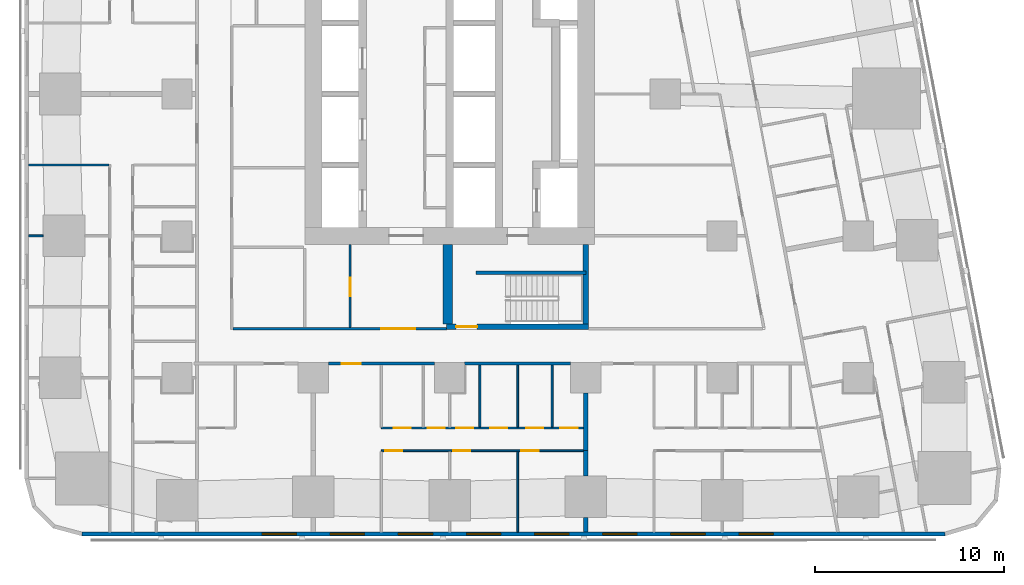
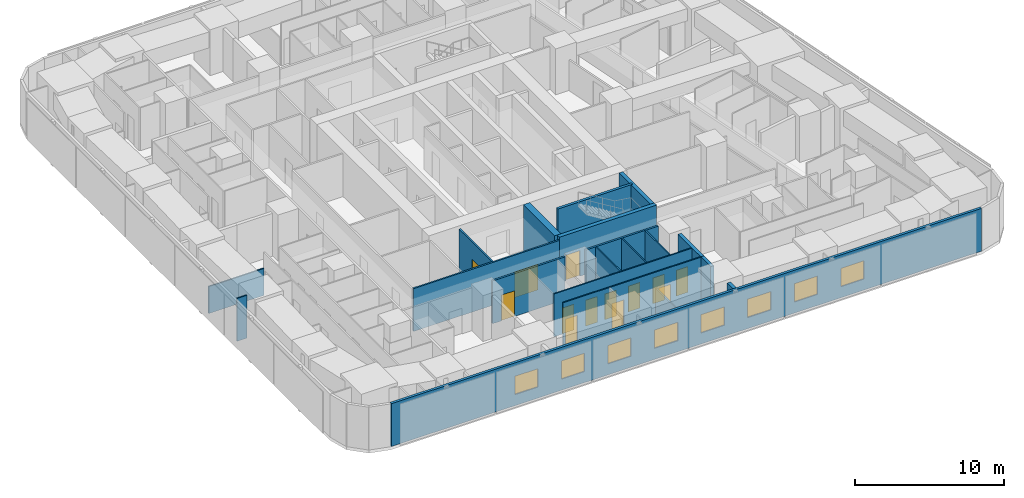
# One storey, part 3 of 15: 20 walls, 13 doors, 8 windows, 21 openings.
"""IFC4 building model written with IfcOpenShell, lengths in metres."""

from ifc_helpers import new_model, si_unit, direction, frame, frame_2d, origin, place, context, subcontext, project, spatial, rectangle, extrude, material, layer, layer_set, type_object, element, fill, save


model = new_model("IFC4")

# Units and contexts
model_context = context("Model", 3, precision=1e-05, world=origin(), true_north=direction((0.0, 1.0)))
body_context = subcontext(model_context, "Body", "Model", "MODEL_VIEW")
ifc_project = project(units=[si_unit("LENGTHUNIT", "METRE"), si_unit("AREAUNIT", "SQUARE_METRE"), si_unit("VOLUMEUNIT", "CUBIC_METRE"), si_unit("PLANEANGLEUNIT", "RADIAN"), si_unit("MASSUNIT", "GRAM", prefix="KILO")], contexts=[model_context])

# Site, building, storey
site_placement = place(None, origin())
site = spatial("IfcSite", under=ifc_project, at=site_placement, CompositionType="ELEMENT")
building_placement = place(site_placement, origin())
building = spatial("IfcBuilding", under=site, at=building_placement, Name="Sheger Commons Tower", CompositionType="ELEMENT")
storey_placement = place(building_placement, frame((0.0, 0.0, 85.39990234375)))
storey = spatial("IfcBuildingStorey", under=building, at=storey_placement, Name="L21", CompositionType="ELEMENT", Elevation=85.39990234375)

# Wall
ifc_material_1 = material(Name="Hollow concrete block masonry, skimmed both sides", Category="masonry")
ifc_layer_1 = layer(ifc_material_1, 0.14990234375)
ifc_layer_set_1 = layer_set([ifc_layer_1], Name="CORRIDOR WALL 150")
wall_type_1 = type_object("IfcWallType", Name="CORRIDOR WALL 150", PredefinedType="SOLIDWALL", material=ifc_layer_set_1)
wall_1_placement = place(storey_placement, frame((27.9990234375, 8.25, 0.0), z_axis=(0.0, 0.0, 1.0), x_axis=(-1.0, 0.0, 0.0)))
element("IfcWall", 1, at=wall_1_placement, inside=storey, type_object=wall_type_1, Name="Corridor wall L21", PredefinedType="SOLIDWALL", context=body_context, shape_type="SweptSolid", body=[
    extrude(rectangle(XDim=5.59814453125, YDim=0.14990234375, at=frame_2d((2.799072265625, 0.0))), origin(), (0.0, 0.0, 1.0), 3.5),
])

# Wall, opening, door
wall_2_placement = place(storey_placement, frame((20.799072265625, 8.25, 0.0), z_axis=(0.0, 0.0, 1.0), x_axis=(-1.0, 0.0, 0.0)))
wall_2 = element("IfcWall", 2, at=wall_2_placement, inside=storey, type_object=wall_type_1, Name="Corridor wall L21", PredefinedType="SOLIDWALL", context=body_context, shape_type="SweptSolid", body=[
    extrude(rectangle(XDim=5.59814453125, YDim=0.14990234375, at=frame_2d((2.799072265625, 0.0))), origin(), (0.0, 0.0, 1.0), 3.5),
])
opening_1_placement = place(wall_2_placement, frame((3.89892578125, 0.0, 0.0)))
opening_1 = element("IfcOpeningElement", 3, at=opening_1_placement, cuts=wall_2, Name="Opening D1", PredefinedType="OPENING", context=body_context, shape_type="SweptSolid", body=[
    extrude(rectangle(XDim=1.0, YDim=2.10009765625, at=frame_2d((0.5, 1.050048828125))), frame((0.0, 0.0849609375, 0.0), z_axis=(0.0, -1.0, 0.0), x_axis=(1.0, 0.0, 0.0)), (0.0, 0.0, 1.0), 0.169921875),
])
ifc_material_2 = material(Name="Steel door set, fire rated", Category="steel")
door_type_1 = type_object("IfcDoorType", Name="FLAT ENTRANCE DOOR 1000x2100", OperationType="NOTDEFINED", PredefinedType="DOOR", material=ifc_material_2)
door_1_placement = place(opening_1_placement, origin())
door_1 = element("IfcDoor", 4, at=door_1_placement, inside=storey, type_object=door_type_1, Name="Flat entrance door", OperationType="SINGLE_SWING_RIGHT", OverallHeight=2.10009765625, OverallWidth=1.0, PredefinedType="DOOR", context=body_context, shape_type="SweptSolid", body=[
    extrude(rectangle(XDim=1.0, YDim=2.10009765625, at=frame_2d((0.5, 1.050048828125))), frame((0.0, 0.02490234375, 0.0), z_axis=(0.0, -1.0, 0.0), x_axis=(1.0, 0.0, 0.0)), (0.0, 0.0, 1.0), 0.050048828125),
])
fill(opening_1, door_1)

# Walls
ifc_material_3 = material(Name="Dense concrete block masonry, plastered both sides (separating wall between flats)", Category="masonry")
ifc_layer_2 = layer(ifc_material_3, 0.25)
ifc_layer_set_2 = layer_set([ifc_layer_2], Name="DEMISING WALL 250")
wall_type_2 = type_object("IfcWallType", Name="DEMISING WALL 250", PredefinedType="SOLIDWALL", material=ifc_layer_set_2)
wall_3_placement = place(storey_placement, frame((28.800048828125, -0.64990234375, 0.0), z_axis=(0.0, 0.0, 1.0), x_axis=(0.0, 1.0, 0.0)))
element("IfcWall", 5, at=wall_3_placement, inside=storey, type_object=wall_type_2, Name="Demising wall L21", PredefinedType="SOLIDWALL", context=body_context, shape_type="SweptSolid", body=[
    extrude(rectangle(XDim=0.77392578125, YDim=0.25, at=frame_2d((0.386962890625, 0.0))), origin(), (0.0, 0.0, 1.0), 3.5),
])
wall_4_placement = place(storey_placement, frame((28.800048828125, 2.325927734375, 0.0), z_axis=(0.0, 0.0, 1.0), x_axis=(0.0, 1.0, 0.0)))
element("IfcWall", 6, at=wall_4_placement, inside=storey, type_object=wall_type_2, Name="Demising wall L21", PredefinedType="SOLIDWALL", context=body_context, shape_type="SweptSolid", body=[
    extrude(rectangle(XDim=1.323974609375, YDim=0.25, at=frame_2d((0.662109375, 0.0))), origin(), (0.0, 0.0, 1.0), 3.5),
])
wall_5_placement = place(storey_placement, frame((28.800048828125, 3.64990234375, 0.0), z_axis=(0.0, 0.0, 1.0), x_axis=(0.0, 1.0, 0.0)))
element("IfcWall", 7, at=wall_5_placement, inside=storey, type_object=wall_type_2, Name="Demising wall L21", PredefinedType="SOLIDWALL", context=body_context, shape_type="SweptSolid", body=[
    extrude(rectangle(XDim=3.049072265625, YDim=0.25, at=frame_2d((1.5244140625, 0.0))), origin(), (0.0, 0.0, 1.0), 3.5),
])

# Wall, openings, windows
ifc_material_4 = material(Name="Rendered concrete block masonry, dark grey", Category="masonry")
ifc_layer_3 = layer(ifc_material_4, 0.199951171875)
ifc_layer_set_3 = layer_set([ifc_layer_3], Name="FACADE WALL 200")
wall_type_3 = type_object("IfcWallType", Name="FACADE WALL 200", PredefinedType="SOLIDWALL", material=ifc_layer_set_3)
wall_6_placement = place(storey_placement, frame((2.1630859375, -0.75, 0.0), z_axis=(0.0, 0.0, 1.0), x_axis=(1.0, 0.0, 0.0)))
wall_6 = element("IfcWall", 8, at=wall_6_placement, inside=storey, type_object=wall_type_3, Name="Facade wall L21", PredefinedType="SOLIDWALL", context=body_context, shape_type="SweptSolid", body=[
    extrude(rectangle(XDim=45.6279296875, YDim=0.199951171875, at=frame_2d((22.81396484375, 0.0))), origin(), (0.0, 0.0, 1.0), 3.5),
])
opening_2_placement = place(wall_6_placement, frame((9.537109375, 0.0, 0.89990234375)))
opening_2 = element("IfcOpeningElement", 9, at=opening_2_placement, cuts=wall_6, Name="Opening W2", PredefinedType="OPENING", context=body_context, shape_type="SweptSolid", body=[
    extrude(rectangle(XDim=1.800048828125, YDim=1.5, at=frame_2d((0.89990234375, 0.75))), frame((0.0, 0.10986328125, 0.0), z_axis=(0.0, -1.0, 0.0), x_axis=(1.0, 0.0, 0.0)), (0.0, 0.0, 1.0), 0.219970703125),
])
opening_3_placement = place(wall_6_placement, frame((13.136962890625, 0.0, 0.89990234375)))
opening_3 = element("IfcOpeningElement", 10, at=opening_3_placement, cuts=wall_6, Name="Opening W2", PredefinedType="OPENING", context=body_context, shape_type="SweptSolid", body=[
    extrude(rectangle(XDim=1.800048828125, YDim=1.5, at=frame_2d((0.89990234375, 0.75))), frame((0.0, 0.10986328125, 0.0), z_axis=(0.0, -1.0, 0.0), x_axis=(1.0, 0.0, 0.0)), (0.0, 0.0, 1.0), 0.219970703125),
])
opening_4_placement = place(wall_6_placement, frame((16.737060546875, 0.0, 0.89990234375)))
opening_4 = element("IfcOpeningElement", 11, at=opening_4_placement, cuts=wall_6, Name="Opening W2", PredefinedType="OPENING", context=body_context, shape_type="SweptSolid", body=[
    extrude(rectangle(XDim=1.800048828125, YDim=1.5, at=frame_2d((0.89990234375, 0.75))), frame((0.0, 0.10986328125, 0.0), z_axis=(0.0, -1.0, 0.0), x_axis=(1.0, 0.0, 0.0)), (0.0, 0.0, 1.0), 0.219970703125),
])
opening_5_placement = place(wall_6_placement, frame((20.3369140625, 0.0, 0.89990234375)))
opening_5 = element("IfcOpeningElement", 12, at=opening_5_placement, cuts=wall_6, Name="Opening W2", PredefinedType="OPENING", context=body_context, shape_type="SweptSolid", body=[
    extrude(rectangle(XDim=1.800048828125, YDim=1.5, at=frame_2d((0.89990234375, 0.75))), frame((0.0, 0.10986328125, 0.0), z_axis=(0.0, -1.0, 0.0), x_axis=(1.0, 0.0, 0.0)), (0.0, 0.0, 1.0), 0.219970703125),
])
opening_6_placement = place(wall_6_placement, frame((23.93701171875, 0.0, 0.89990234375)))
opening_6 = element("IfcOpeningElement", 13, at=opening_6_placement, cuts=wall_6, Name="Opening W2", PredefinedType="OPENING", context=body_context, shape_type="SweptSolid", body=[
    extrude(rectangle(XDim=1.800048828125, YDim=1.5, at=frame_2d((0.89990234375, 0.75))), frame((0.0, 0.10986328125, 0.0), z_axis=(0.0, -1.0, 0.0), x_axis=(1.0, 0.0, 0.0)), (0.0, 0.0, 1.0), 0.219970703125),
])
opening_7_placement = place(wall_6_placement, frame((27.537109375, 0.0, 0.89990234375)))
opening_7 = element("IfcOpeningElement", 14, at=opening_7_placement, cuts=wall_6, Name="Opening W2", PredefinedType="OPENING", context=body_context, shape_type="SweptSolid", body=[
    extrude(rectangle(XDim=1.800048828125, YDim=1.5, at=frame_2d((0.89990234375, 0.75))), frame((0.0, 0.10986328125, 0.0), z_axis=(0.0, -1.0, 0.0), x_axis=(1.0, 0.0, 0.0)), (0.0, 0.0, 1.0), 0.219970703125),
])
opening_8_placement = place(wall_6_placement, frame((31.136962890625, 0.0, 0.89990234375)))
opening_8 = element("IfcOpeningElement", 15, at=opening_8_placement, cuts=wall_6, Name="Opening W2", PredefinedType="OPENING", context=body_context, shape_type="SweptSolid", body=[
    extrude(rectangle(XDim=1.800048828125, YDim=1.5, at=frame_2d((0.89990234375, 0.75))), frame((0.0, 0.10986328125, 0.0), z_axis=(0.0, -1.0, 0.0), x_axis=(1.0, 0.0, 0.0)), (0.0, 0.0, 1.0), 0.219970703125),
])
opening_9_placement = place(wall_6_placement, frame((34.737060546875, 0.0, 0.89990234375)))
opening_9 = element("IfcOpeningElement", 16, at=opening_9_placement, cuts=wall_6, Name="Opening W2", PredefinedType="OPENING", context=body_context, shape_type="SweptSolid", body=[
    extrude(rectangle(XDim=1.800048828125, YDim=1.5, at=frame_2d((0.89990234375, 0.75))), frame((0.0, 0.10986328125, 0.0), z_axis=(0.0, -1.0, 0.0), x_axis=(1.0, 0.0, 0.0)), (0.0, 0.0, 1.0), 0.219970703125),
])
ifc_material_5 = material(Name="Black aluminium frame, dark tinted double glazing", Category="aluminium")
window_type = type_object("IfcWindowType", Name="WINDOW W2 1800x1500", PartitioningType="SINGLE_PANEL", PredefinedType="WINDOW", material=ifc_material_5)
window_1_placement = place(opening_2_placement, origin())
window_1 = element("IfcWindow", 17, at=window_1_placement, inside=storey, type_object=window_type, Name="Window W2 1800X1500", OverallHeight=1.5, OverallWidth=1.800048828125, PartitioningType="SINGLE_PANEL", PredefinedType="WINDOW", context=body_context, shape_type="SweptSolid", body=[
    extrude(rectangle(XDim=1.800048828125, YDim=1.5, at=frame_2d((0.89990234375, 0.75))), frame((0.0, 0.030029296875, 0.0), z_axis=(0.0, -1.0, 0.0), x_axis=(1.0, 0.0, 0.0)), (0.0, 0.0, 1.0), 0.06005859375),
])
fill(opening_2, window_1)
window_2_placement = place(opening_3_placement, origin())
window_2 = element("IfcWindow", 18, at=window_2_placement, inside=storey, type_object=window_type, Name="Window W2 1800X1500", OverallHeight=1.5, OverallWidth=1.800048828125, PartitioningType="SINGLE_PANEL", PredefinedType="WINDOW", context=body_context, shape_type="SweptSolid", body=[
    extrude(rectangle(XDim=1.800048828125, YDim=1.5, at=frame_2d((0.89990234375, 0.75))), frame((0.0, 0.030029296875, 0.0), z_axis=(0.0, -1.0, 0.0), x_axis=(1.0, 0.0, 0.0)), (0.0, 0.0, 1.0), 0.06005859375),
])
fill(opening_3, window_2)
window_3_placement = place(opening_4_placement, origin())
window_3 = element("IfcWindow", 19, at=window_3_placement, inside=storey, type_object=window_type, Name="Window W2 1800X1500", OverallHeight=1.5, OverallWidth=1.800048828125, PartitioningType="SINGLE_PANEL", PredefinedType="WINDOW", context=body_context, shape_type="SweptSolid", body=[
    extrude(rectangle(XDim=1.800048828125, YDim=1.5, at=frame_2d((0.89990234375, 0.75))), frame((0.0, 0.030029296875, 0.0), z_axis=(0.0, -1.0, 0.0), x_axis=(1.0, 0.0, 0.0)), (0.0, 0.0, 1.0), 0.06005859375),
])
fill(opening_4, window_3)
window_4_placement = place(opening_5_placement, origin())
window_4 = element("IfcWindow", 20, at=window_4_placement, inside=storey, type_object=window_type, Name="Window W2 1800X1500", OverallHeight=1.5, OverallWidth=1.800048828125, PartitioningType="SINGLE_PANEL", PredefinedType="WINDOW", context=body_context, shape_type="SweptSolid", body=[
    extrude(rectangle(XDim=1.800048828125, YDim=1.5, at=frame_2d((0.89990234375, 0.75))), frame((0.0, 0.030029296875, 0.0), z_axis=(0.0, -1.0, 0.0), x_axis=(1.0, 0.0, 0.0)), (0.0, 0.0, 1.0), 0.06005859375),
])
fill(opening_5, window_4)
window_5_placement = place(opening_6_placement, origin())
window_5 = element("IfcWindow", 21, at=window_5_placement, inside=storey, type_object=window_type, Name="Window W2 1800X1500", OverallHeight=1.5, OverallWidth=1.800048828125, PartitioningType="SINGLE_PANEL", PredefinedType="WINDOW", context=body_context, shape_type="SweptSolid", body=[
    extrude(rectangle(XDim=1.800048828125, YDim=1.5, at=frame_2d((0.89990234375, 0.75))), frame((0.0, 0.030029296875, 0.0), z_axis=(0.0, -1.0, 0.0), x_axis=(1.0, 0.0, 0.0)), (0.0, 0.0, 1.0), 0.06005859375),
])
fill(opening_6, window_5)
window_6_placement = place(opening_7_placement, origin())
window_6 = element("IfcWindow", 22, at=window_6_placement, inside=storey, type_object=window_type, Name="Window W2 1800X1500", OverallHeight=1.5, OverallWidth=1.800048828125, PartitioningType="SINGLE_PANEL", PredefinedType="WINDOW", context=body_context, shape_type="SweptSolid", body=[
    extrude(rectangle(XDim=1.800048828125, YDim=1.5, at=frame_2d((0.89990234375, 0.75))), frame((0.0, 0.030029296875, 0.0), z_axis=(0.0, -1.0, 0.0), x_axis=(1.0, 0.0, 0.0)), (0.0, 0.0, 1.0), 0.06005859375),
])
fill(opening_7, window_6)
window_7_placement = place(opening_8_placement, origin())
window_7 = element("IfcWindow", 23, at=window_7_placement, inside=storey, type_object=window_type, Name="Window W2 1800X1500", OverallHeight=1.5, OverallWidth=1.800048828125, PartitioningType="SINGLE_PANEL", PredefinedType="WINDOW", context=body_context, shape_type="SweptSolid", body=[
    extrude(rectangle(XDim=1.800048828125, YDim=1.5, at=frame_2d((0.89990234375, 0.75))), frame((0.0, 0.030029296875, 0.0), z_axis=(0.0, -1.0, 0.0), x_axis=(1.0, 0.0, 0.0)), (0.0, 0.0, 1.0), 0.06005859375),
])
fill(opening_8, window_7)
window_8_placement = place(opening_9_placement, origin())
window_8 = element("IfcWindow", 24, at=window_8_placement, inside=storey, type_object=window_type, Name="Window W2 1800X1500", OverallHeight=1.5, OverallWidth=1.800048828125, PartitioningType="SINGLE_PANEL", PredefinedType="WINDOW", context=body_context, shape_type="SweptSolid", body=[
    extrude(rectangle(XDim=1.800048828125, YDim=1.5, at=frame_2d((0.89990234375, 0.75))), frame((0.0, 0.030029296875, 0.0), z_axis=(0.0, -1.0, 0.0), x_axis=(1.0, 0.0, 0.0)), (0.0, 0.0, 1.0), 0.06005859375),
])
fill(opening_9, window_8)

# Walls
ifc_material_6 = material(Name="Gypsum board on steel studs", Category="steel")
ifc_layer_4 = layer(ifc_material_6, 0.10009765625)
ifc_layer_set_4 = layer_set([ifc_layer_4], Name="PARTITION 100")
wall_type_4 = type_object("IfcWallType", Name="PARTITION 100", PredefinedType="PARTITIONING", material=ifc_layer_set_4)
wall_7_placement = place(storey_placement, frame((-0.64990234375, 15.0, 0.0), z_axis=(0.0, 0.0, 1.0), x_axis=(1.0, 0.0, 0.0)))
element("IfcWall", 25, at=wall_7_placement, inside=storey, type_object=wall_type_4, Name="Partition L21", PredefinedType="PARTITIONING", context=body_context, shape_type="SweptSolid", body=[
    extrude(rectangle(XDim=0.77392578125, YDim=0.10009765625, at=frame_2d((0.386962890625, 0.0))), origin(), (0.0, 0.0, 1.0), 3.5),
])
wall_8_placement = place(storey_placement, frame((-0.64990234375, 18.75, 0.0), z_axis=(0.0, 0.0, 1.0), x_axis=(1.0, 0.0, 0.0)))
element("IfcWall", 26, at=wall_8_placement, inside=storey, type_object=wall_type_4, Name="Partition L21", PredefinedType="PARTITIONING", context=body_context, shape_type="SweptSolid", body=[
    extrude(rectangle(XDim=4.25, YDim=0.10009765625, at=frame_2d((2.125, 0.0))), origin(), (0.0, 0.0, 1.0), 2.2001953125),
])

# Wall, openings, doors
wall_9_placement = place(storey_placement, frame((28.675048828125, 3.64990234375, 0.0), z_axis=(0.0, 0.0, 1.0), x_axis=(-1.0, 0.0, 0.0)))
wall_9 = element("IfcWall", 27, at=wall_9_placement, inside=storey, type_object=wall_type_4, Name="Partition L21", PredefinedType="PARTITIONING", context=body_context, shape_type="SweptSolid", body=[
    extrude(rectangle(XDim=10.675048828125, YDim=0.10009765625, at=frame_2d((5.33740234375, 0.0))), origin(), (0.0, 0.0, 1.0), 3.5),
])
opening_10_placement = place(wall_9_placement, frame((9.574951171875, 0.0, 0.0)))
opening_10 = element("IfcOpeningElement", 28, at=opening_10_placement, cuts=wall_9, Name="Opening D2", PredefinedType="OPENING", context=body_context, shape_type="SweptSolid", body=[
    extrude(rectangle(XDim=0.89990234375, YDim=2.10009765625, at=frame_2d((0.449951171875, 1.050048828125))), frame((0.0, 0.06005859375, 0.0), z_axis=(0.0, -1.0, 0.0), x_axis=(1.0, 0.0, 0.0)), (0.0, 0.0, 1.0), 0.1201171875),
])
opening_11_placement = place(wall_9_placement, frame((5.97509765625, 0.0, 0.0)))
opening_11 = element("IfcOpeningElement", 29, at=opening_11_placement, cuts=wall_9, Name="Opening D2", PredefinedType="OPENING", context=body_context, shape_type="SweptSolid", body=[
    extrude(rectangle(XDim=0.89990234375, YDim=2.10009765625, at=frame_2d((0.449951171875, 1.050048828125))), frame((0.0, 0.06005859375, 0.0), z_axis=(0.0, -1.0, 0.0), x_axis=(1.0, 0.0, 0.0)), (0.0, 0.0, 1.0), 0.1201171875),
])
opening_12_placement = place(wall_9_placement, frame((2.375, 0.0, 0.0)))
opening_12 = element("IfcOpeningElement", 30, at=opening_12_placement, cuts=wall_9, Name="Opening D2", PredefinedType="OPENING", context=body_context, shape_type="SweptSolid", body=[
    extrude(rectangle(XDim=0.89990234375, YDim=2.10009765625, at=frame_2d((0.449951171875, 1.050048828125))), frame((0.0, 0.06005859375, 0.0), z_axis=(0.0, -1.0, 0.0), x_axis=(1.0, 0.0, 0.0)), (0.0, 0.0, 1.0), 0.1201171875),
])
ifc_material_7 = material(Name="Timber door set", Category="wood")
door_type_2 = type_object("IfcDoorType", Name="INTERNAL DOOR 900x2100", OperationType="NOTDEFINED", PredefinedType="DOOR", material=ifc_material_7)
door_2_placement = place(opening_10_placement, origin())
door_2 = element("IfcDoor", 31, at=door_2_placement, inside=storey, type_object=door_type_2, Name="Main bedroom door", OperationType="SINGLE_SWING_RIGHT", OverallHeight=2.10009765625, OverallWidth=0.89990234375, PredefinedType="DOOR", context=body_context, shape_type="SweptSolid", body=[
    extrude(rectangle(XDim=0.89990234375, YDim=2.10009765625, at=frame_2d((0.449951171875, 1.050048828125))), frame((0.0, 0.02490234375, 0.0), z_axis=(0.0, -1.0, 0.0), x_axis=(1.0, 0.0, 0.0)), (0.0, 0.0, 1.0), 0.050048828125),
])
fill(opening_10, door_2)
door_3_placement = place(opening_11_placement, origin())
door_3 = element("IfcDoor", 32, at=door_3_placement, inside=storey, type_object=door_type_2, Name="Bedroom 2 door", OperationType="SINGLE_SWING_RIGHT", OverallHeight=2.10009765625, OverallWidth=0.89990234375, PredefinedType="DOOR", context=body_context, shape_type="SweptSolid", body=[
    extrude(rectangle(XDim=0.89990234375, YDim=2.10009765625, at=frame_2d((0.449951171875, 1.050048828125))), frame((0.0, 0.02490234375, 0.0), z_axis=(0.0, -1.0, 0.0), x_axis=(1.0, 0.0, 0.0)), (0.0, 0.0, 1.0), 0.050048828125),
])
fill(opening_11, door_3)
door_4_placement = place(opening_12_placement, origin())
door_4 = element("IfcDoor", 33, at=door_4_placement, inside=storey, type_object=door_type_2, Name="Bedroom 3 door", OperationType="SINGLE_SWING_RIGHT", OverallHeight=2.10009765625, OverallWidth=0.89990234375, PredefinedType="DOOR", context=body_context, shape_type="SweptSolid", body=[
    extrude(rectangle(XDim=0.89990234375, YDim=2.10009765625, at=frame_2d((0.449951171875, 1.050048828125))), frame((0.0, 0.02490234375, 0.0), z_axis=(0.0, -1.0, 0.0), x_axis=(1.0, 0.0, 0.0)), (0.0, 0.0, 1.0), 0.050048828125),
])
fill(opening_12, door_4)

wall_10_placement = place(storey_placement, frame((28.675048828125, 4.85009765625, 0.0), z_axis=(0.0, 0.0, 1.0), x_axis=(-1.0, 0.0, 0.0)))
wall_10 = element("IfcWall", 34, at=wall_10_placement, inside=storey, type_object=wall_type_4, Name="Partition L21", PredefinedType="PARTITIONING", context=body_context, shape_type="SweptSolid", body=[
    extrude(rectangle(XDim=10.675048828125, YDim=0.10009765625, at=frame_2d((5.33740234375, 0.0))), origin(), (0.0, 0.0, 1.0), 3.5),
])
opening_13_placement = place(wall_10_placement, frame((9.1201171875, 0.0, 0.0)))
opening_13 = element("IfcOpeningElement", 35, at=opening_13_placement, cuts=wall_10, Name="Opening D2", PredefinedType="OPENING", context=body_context, shape_type="SweptSolid", body=[
    extrude(rectangle(XDim=0.89990234375, YDim=2.10009765625, at=frame_2d((0.449951171875, 1.050048828125))), frame((0.0, 0.06005859375, 0.0), z_axis=(0.0, -1.0, 0.0), x_axis=(1.0, 0.0, 0.0)), (0.0, 0.0, 1.0), 0.1201171875),
])
opening_14_placement = place(wall_10_placement, frame((5.824951171875, 0.0, 0.0)))
opening_14 = element("IfcOpeningElement", 36, at=opening_14_placement, cuts=wall_10, Name="Opening D2", PredefinedType="OPENING", context=body_context, shape_type="SweptSolid", body=[
    extrude(rectangle(XDim=0.89990234375, YDim=2.10009765625, at=frame_2d((0.449951171875, 1.050048828125))), frame((0.0, 0.06005859375, 0.0), z_axis=(0.0, -1.0, 0.0), x_axis=(1.0, 0.0, 0.0)), (0.0, 0.0, 1.0), 0.1201171875),
])
opening_15_placement = place(wall_10_placement, frame((2.114990234375, 0.0, 0.0)))
opening_15 = element("IfcOpeningElement", 37, at=opening_15_placement, cuts=wall_10, Name="Opening D2", PredefinedType="OPENING", context=body_context, shape_type="SweptSolid", body=[
    extrude(rectangle(XDim=0.89990234375, YDim=2.10009765625, at=frame_2d((0.449951171875, 1.050048828125))), frame((0.0, 0.06005859375, 0.0), z_axis=(0.0, -1.0, 0.0), x_axis=(1.0, 0.0, 0.0)), (0.0, 0.0, 1.0), 0.1201171875),
])
opening_16_placement = place(wall_10_placement, frame((7.320068359375, 0.0, 0.0)))
opening_16 = element("IfcOpeningElement", 38, at=opening_16_placement, cuts=wall_10, Name="Opening D2", PredefinedType="OPENING", context=body_context, shape_type="SweptSolid", body=[
    extrude(rectangle(XDim=0.89990234375, YDim=2.10009765625, at=frame_2d((0.449951171875, 1.050048828125))), frame((0.0, 0.06005859375, 0.0), z_axis=(0.0, -1.0, 0.0), x_axis=(1.0, 0.0, 0.0)), (0.0, 0.0, 1.0), 0.1201171875),
])
opening_17_placement = place(wall_10_placement, frame((4.02490234375, 0.0, 0.0)))
opening_17 = element("IfcOpeningElement", 39, at=opening_17_placement, cuts=wall_10, Name="Opening D2", PredefinedType="OPENING", context=body_context, shape_type="SweptSolid", body=[
    extrude(rectangle(XDim=0.89990234375, YDim=2.10009765625, at=frame_2d((0.449951171875, 1.050048828125))), frame((0.0, 0.06005859375, 0.0), z_axis=(0.0, -1.0, 0.0), x_axis=(1.0, 0.0, 0.0)), (0.0, 0.0, 1.0), 0.1201171875),
])
opening_18_placement = place(wall_10_placement, frame((0.31494140625, 0.0, 0.0)))
opening_18 = element("IfcOpeningElement", 40, at=opening_18_placement, cuts=wall_10, Name="Opening D2", PredefinedType="OPENING", context=body_context, shape_type="SweptSolid", body=[
    extrude(rectangle(XDim=0.89990234375, YDim=2.10009765625, at=frame_2d((0.449951171875, 1.050048828125))), frame((0.0, 0.06005859375, 0.0), z_axis=(0.0, -1.0, 0.0), x_axis=(1.0, 0.0, 0.0)), (0.0, 0.0, 1.0), 0.1201171875),
])
door_5_placement = place(opening_13_placement, origin())
door_5 = element("IfcDoor", 41, at=door_5_placement, inside=storey, type_object=door_type_2, Name="Bathroom door", OperationType="SINGLE_SWING_LEFT", OverallHeight=2.10009765625, OverallWidth=0.89990234375, PredefinedType="DOOR", context=body_context, shape_type="SweptSolid", body=[
    extrude(rectangle(XDim=0.89990234375, YDim=2.10009765625, at=frame_2d((0.449951171875, 1.050048828125))), frame((0.0, 0.02490234375, 0.0), z_axis=(0.0, -1.0, 0.0), x_axis=(1.0, 0.0, 0.0)), (0.0, 0.0, 1.0), 0.050048828125),
])
fill(opening_13, door_5)
door_6_placement = place(opening_14_placement, origin())
door_6 = element("IfcDoor", 42, at=door_6_placement, inside=storey, type_object=door_type_2, Name="Shower room door", OperationType="SINGLE_SWING_LEFT", OverallHeight=2.10009765625, OverallWidth=0.89990234375, PredefinedType="DOOR", context=body_context, shape_type="SweptSolid", body=[
    extrude(rectangle(XDim=0.89990234375, YDim=2.10009765625, at=frame_2d((0.449951171875, 1.050048828125))), frame((0.0, 0.02490234375, 0.0), z_axis=(0.0, -1.0, 0.0), x_axis=(1.0, 0.0, 0.0)), (0.0, 0.0, 1.0), 0.050048828125),
])
fill(opening_14, door_6)
door_7_placement = place(opening_15_placement, origin())
door_7 = element("IfcDoor", 43, at=door_7_placement, inside=storey, type_object=door_type_2, Name="Laundry room door", OperationType="SINGLE_SWING_LEFT", OverallHeight=2.10009765625, OverallWidth=0.89990234375, PredefinedType="DOOR", context=body_context, shape_type="SweptSolid", body=[
    extrude(rectangle(XDim=0.89990234375, YDim=2.10009765625, at=frame_2d((0.449951171875, 1.050048828125))), frame((0.0, 0.02490234375, 0.0), z_axis=(0.0, -1.0, 0.0), x_axis=(1.0, 0.0, 0.0)), (0.0, 0.0, 1.0), 0.050048828125),
])
fill(opening_15, door_7)
door_8_placement = place(opening_16_placement, origin())
door_8 = element("IfcDoor", 44, at=door_8_placement, inside=storey, type_object=door_type_2, Name="Store door", OperationType="SINGLE_SWING_RIGHT", OverallHeight=2.10009765625, OverallWidth=0.89990234375, PredefinedType="DOOR", context=body_context, shape_type="SweptSolid", body=[
    extrude(rectangle(XDim=0.89990234375, YDim=2.10009765625, at=frame_2d((0.449951171875, 1.050048828125))), frame((0.0, 0.02490234375, 0.0), z_axis=(0.0, -1.0, 0.0), x_axis=(1.0, 0.0, 0.0)), (0.0, 0.0, 1.0), 0.050048828125),
])
fill(opening_16, door_8)
door_9_placement = place(opening_17_placement, origin())
door_9 = element("IfcDoor", 45, at=door_9_placement, inside=storey, type_object=door_type_2, Name="Store door", OperationType="SINGLE_SWING_RIGHT", OverallHeight=2.10009765625, OverallWidth=0.89990234375, PredefinedType="DOOR", context=body_context, shape_type="SweptSolid", body=[
    extrude(rectangle(XDim=0.89990234375, YDim=2.10009765625, at=frame_2d((0.449951171875, 1.050048828125))), frame((0.0, 0.02490234375, 0.0), z_axis=(0.0, -1.0, 0.0), x_axis=(1.0, 0.0, 0.0)), (0.0, 0.0, 1.0), 0.050048828125),
])
fill(opening_17, door_9)
door_10_placement = place(opening_18_placement, origin())
door_10 = element("IfcDoor", 46, at=door_10_placement, inside=storey, type_object=door_type_2, Name="Store door", OperationType="SINGLE_SWING_RIGHT", OverallHeight=2.10009765625, OverallWidth=0.89990234375, PredefinedType="DOOR", context=body_context, shape_type="SweptSolid", body=[
    extrude(rectangle(XDim=0.89990234375, YDim=2.10009765625, at=frame_2d((0.449951171875, 1.050048828125))), frame((0.0, 0.02490234375, 0.0), z_axis=(0.0, -1.0, 0.0), x_axis=(1.0, 0.0, 0.0)), (0.0, 0.0, 1.0), 0.050048828125),
])
fill(opening_18, door_10)

# Walls
wall_11_placement = place(storey_placement, frame((25.199951171875, -0.64990234375, 0.0), z_axis=(0.0, 0.0, 1.0), x_axis=(0.0, 1.0, 0.0)))
element("IfcWall", 47, at=wall_11_placement, inside=storey, type_object=wall_type_4, Name="Partition L21", PredefinedType="PARTITIONING", context=body_context, shape_type="SweptSolid", body=[
    extrude(rectangle(XDim=4.25, YDim=0.10009765625, at=frame_2d((2.125, 0.0))), origin(), (0.0, 0.0, 1.0), 2.2001953125),
])
for number, where, z_axis, x_axis, name in (
    (48, (25.199951171875, 4.89990234375, 0.0), (0.0, 0.0, 1.0), (0.0, 1.0, 0.0), "Partition L21"),
    (49, (23.199951171875, 4.89990234375, 0.0), (0.0, 0.0, 1.0), (0.0, 1.0, 0.0), "Partition L21"),
    (50, (27.02001953125, 4.89990234375, 0.0), (0.0, 0.0, 1.0), (0.0, 1.0, 0.0), "Partition L21"),
):
    element("IfcWall", number, at=place(storey_placement, frame(where, z_axis=z_axis, x_axis=x_axis)), inside=storey, type_object=wall_type_4, Name=name, PredefinedType="PARTITIONING", context=body_context, shape_type="SweptSolid", body=[
        extrude(rectangle(XDim=3.275146484375, YDim=0.10009765625, at=frame_2d((1.6376953125, 0.0))), origin(), (0.0, 0.0, 1.0), 3.5),
    ])

# Wall, opening, door
ifc_material_8 = material(Name="Gypsum board on steel studs, two layers each side, fire rated", Category="steel")
ifc_layer_5 = layer(ifc_material_8, 0.125)
ifc_layer_set_5 = layer_set([ifc_layer_5], Name="SERVICE WALL 125")
wall_type_5 = type_object("IfcWallType", Name="SERVICE WALL 125", PredefinedType="PARTITIONING", material=ifc_layer_set_5)
wall_12_placement = place(storey_placement, frame((10.1630859375, 10.10009765625, 0.0), z_axis=(0.0, 0.0, 1.0), x_axis=(1.0, 0.0, 0.0)))
wall_12 = element("IfcWall", 51, at=wall_12_placement, inside=storey, type_object=wall_type_5, Name="Service room wall L21", PredefinedType="PARTITIONING", context=body_context, shape_type="SweptSolid", body=[
    extrude(rectangle(XDim=11.286865234375, YDim=0.125, at=frame_2d((5.6435546875, 0.0))), origin(), (0.0, 0.0, 1.0), 3.5),
])
opening_19_placement = place(wall_12_placement, frame((7.83203125, 0.0, 0.0)))
opening_19 = element("IfcOpeningElement", 52, at=opening_19_placement, cuts=wall_12, Name="Opening D6", PredefinedType="OPENING", context=body_context, shape_type="SweptSolid", body=[
    extrude(rectangle(XDim=1.800048828125, YDim=2.10009765625, at=frame_2d((0.89990234375, 1.050048828125))), frame((0.0, 0.072509765625, 0.0), z_axis=(0.0, -1.0, 0.0), x_axis=(1.0, 0.0, 0.0)), (0.0, 0.0, 1.0), 0.14501953125),
])
ifc_material_9 = material(Name="Steel door set, fire rated", Category="steel")
door_type_3 = type_object("IfcDoorType", Name="LOBBY DOUBLE DOOR 1800x2100", OperationType="DOUBLE_DOOR_SINGLE_SWING", PredefinedType="DOOR", material=ifc_material_9)
door_11_placement = place(opening_19_placement, origin())
door_11 = element("IfcDoor", 53, at=door_11_placement, inside=storey, type_object=door_type_3, Name="Lift lobby south door", OperationType="DOUBLE_DOOR_SINGLE_SWING", OverallHeight=2.10009765625, OverallWidth=1.800048828125, PredefinedType="DOOR", context=body_context, shape_type="SweptSolid", body=[
    extrude(rectangle(XDim=1.800048828125, YDim=2.10009765625, at=frame_2d((0.89990234375, 1.050048828125))), frame((0.0, 0.02490234375, 0.0), z_axis=(0.0, -1.0, 0.0), x_axis=(1.0, 0.0, 0.0)), (0.0, 0.0, 1.0), 0.050048828125),
])
fill(opening_19, door_11)

wall_13_placement = place(storey_placement, frame((16.340087890625, 10.1630859375, 0.0), z_axis=(0.0, 0.0, 1.0), x_axis=(0.0, 1.0, 0.0)))
wall_13 = element("IfcWall", 54, at=wall_13_placement, inside=storey, type_object=wall_type_5, Name="Service room wall L21", PredefinedType="PARTITIONING", context=body_context, shape_type="SweptSolid", body=[
    extrude(rectangle(XDim=4.386962890625, YDim=0.125, at=frame_2d((2.193359375, 0.0))), origin(), (0.0, 0.0, 1.0), 3.5),
])
opening_20_placement = place(wall_13_placement, frame((1.636962890625, 0.0, 0.0)))
opening_20 = element("IfcOpeningElement", 55, at=opening_20_placement, cuts=wall_13, Name="Opening D4", PredefinedType="OPENING", context=body_context, shape_type="SweptSolid", body=[
    extrude(rectangle(XDim=1.0, YDim=2.10009765625, at=frame_2d((0.5, 1.050048828125))), frame((0.0, 0.072509765625, 0.0), z_axis=(0.0, -1.0, 0.0), x_axis=(1.0, 0.0, 0.0)), (0.0, 0.0, 1.0), 0.14501953125),
])
ifc_material_10 = material(Name="Steel door set, fire rated", Category="steel")
door_type_4 = type_object("IfcDoorType", Name="SERVICE DOOR 1000x2100", OperationType="NOTDEFINED", PredefinedType="DOOR", material=ifc_material_10)
door_12_placement = place(opening_20_placement, origin())
door_12 = element("IfcDoor", 56, at=door_12_placement, inside=storey, type_object=door_type_4, Name="Electrical room door", OperationType="SINGLE_SWING_LEFT", OverallHeight=2.10009765625, OverallWidth=1.0, PredefinedType="DOOR", context=body_context, shape_type="SweptSolid", body=[
    extrude(rectangle(XDim=1.0, YDim=2.10009765625, at=frame_2d((0.5, 1.050048828125))), frame((0.0, 0.02490234375, 0.0), z_axis=(0.0, -1.0, 0.0), x_axis=(1.0, 0.0, 0.0)), (0.0, 0.0, 1.0), 0.050048828125),
])
fill(opening_20, door_12)

ifc_material_11 = material(Name="Concrete C50/60", Category="concrete")
ifc_layer_6 = layer(ifc_material_11, 0.300048828125)
ifc_layer_set_6 = layer_set([ifc_layer_6], Name="STAIR CORE WALL 300")
wall_type_6 = type_object("IfcWallType", Name="STAIR CORE WALL 300", PredefinedType="SHEAR", material=ifc_layer_set_6)
wall_14_placement = place(storey_placement, frame((21.449951171875, 10.199951171875, 0.0), z_axis=(0.0, 0.0, 1.0), x_axis=(1.0, 0.0, 0.0)))
wall_14 = element("IfcWall", 57, at=wall_14_placement, inside=storey, type_object=wall_type_6, Name="STW-L21-S1S", PredefinedType="SHEAR", context=body_context, shape_type="SweptSolid", body=[
    extrude(rectangle(XDim=7.5, YDim=0.300048828125, at=frame_2d((3.75, 0.0))), origin(), (0.0, 0.0, 1.0), 3.75),
])
opening_21_placement = place(wall_14_placement, frame((0.5, 0.0, 0.0)))
opening_21 = element("IfcOpeningElement", 58, at=opening_21_placement, cuts=wall_14, Name="Opening D5", PredefinedType="OPENING", context=body_context, shape_type="SweptSolid", body=[
    extrude(rectangle(XDim=1.10009765625, YDim=2.10009765625, at=frame_2d((0.550048828125, 1.050048828125))), frame((0.0, 0.159912109375, 0.0), z_axis=(0.0, -1.0, 0.0), x_axis=(1.0, 0.0, 0.0)), (0.0, 0.0, 1.0), 0.320068359375),
])
ifc_material_12 = material(Name="Steel door set, fire rated", Category="steel")
door_type_5 = type_object("IfcDoorType", Name="STAIR DOOR 1100x2100", OperationType="NOTDEFINED", PredefinedType="DOOR", material=ifc_material_12)
door_13_placement = place(opening_21_placement, origin())
door_13 = element("IfcDoor", 59, at=door_13_placement, inside=storey, type_object=door_type_5, Name="Stair S1 door", OperationType="SINGLE_SWING_LEFT", OverallHeight=2.10009765625, OverallWidth=1.10009765625, PredefinedType="DOOR", context=body_context, shape_type="SweptSolid", body=[
    extrude(rectangle(XDim=1.10009765625, YDim=2.10009765625, at=frame_2d((0.550048828125, 1.050048828125))), frame((0.0, 0.02490234375, 0.0), z_axis=(0.0, -1.0, 0.0), x_axis=(1.0, 0.0, 0.0)), (0.0, 0.0, 1.0), 0.050048828125),
])
fill(opening_21, door_13)

# Walls
wall_15_placement = place(storey_placement, frame((28.800048828125, 10.35009765625, 0.0), z_axis=(0.0, 0.0, 1.0), x_axis=(0.0, 1.0, 0.0)))
element("IfcWall", 60, at=wall_15_placement, inside=storey, type_object=wall_type_6, Name="STW-L21-S1E", PredefinedType="SHEAR", context=body_context, shape_type="SweptSolid", body=[
    extrude(rectangle(XDim=4.199951171875, YDim=0.300048828125, at=frame_2d((2.10009765625, 0.0))), origin(), (0.0, 0.0, 1.0), 3.75),
])
ifc_material_13 = material(Name="Concrete C50/60", Category="concrete")
ifc_layer_7 = layer(ifc_material_13, 0.5)
ifc_layer_set_7 = layer_set([ifc_layer_7], Name="STAIR CORE WALL 500")
wall_type_7 = type_object("IfcWallType", Name="STAIR CORE WALL 500", PredefinedType="SHEAR", material=ifc_layer_set_7)
wall_16_placement = place(storey_placement, frame((21.5, 10.35009765625, 0.0), z_axis=(0.0, 0.0, 1.0), x_axis=(0.0, 1.0, 0.0)))
element("IfcWall", 61, at=wall_16_placement, inside=storey, type_object=wall_type_7, Name="STW-L21-S1W", PredefinedType="SHEAR", context=body_context, shape_type="SweptSolid", body=[
    extrude(rectangle(XDim=4.199951171875, YDim=0.5, at=frame_2d((2.10009765625, 0.0))), origin(), (0.0, 0.0, 1.0), 3.75),
])
ifc_material_14 = material(Name="Concrete C50/60", Category="concrete")
ifc_layer_8 = layer(ifc_material_14, 0.199951171875)
ifc_layer_set_8 = layer_set([ifc_layer_8], Name="STAIR SPINE WALL 200")
wall_type_8 = type_object("IfcWallType", Name="STAIR SPINE WALL 200", PredefinedType="SHEAR", material=ifc_layer_set_8)
wall_17_placement = place(storey_placement, frame((23.0, 13.050048828125, 0.0), z_axis=(0.0, 0.0, 1.0), x_axis=(1.0, 0.0, 0.0)))
element("IfcWall", 62, at=wall_17_placement, inside=storey, type_object=wall_type_8, Name="Stair spine wall L21", PredefinedType="SHEAR", context=body_context, shape_type="SweptSolid", body=[
    extrude(rectangle(XDim=5.800048828125, YDim=0.199951171875, at=frame_2d((2.89990234375, 0.0))), origin(), (0.0, 0.0, 1.0), 3.75),
])

save(model, "model.ifc")
